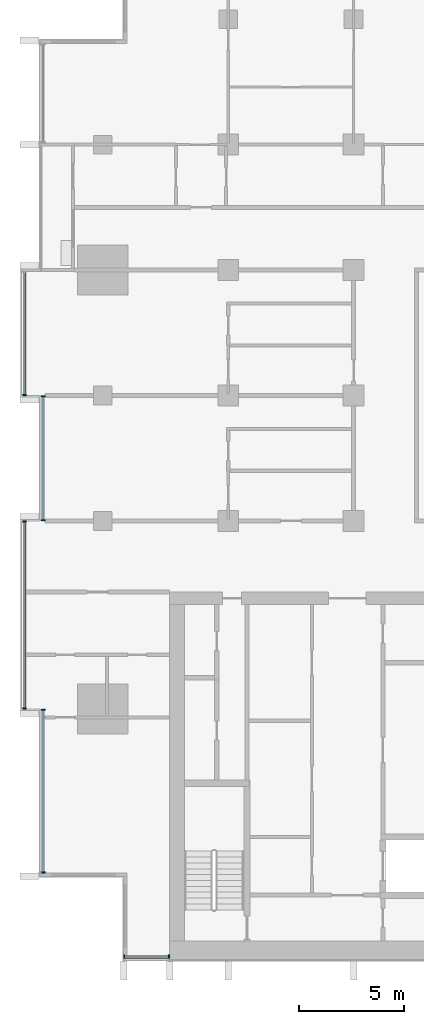
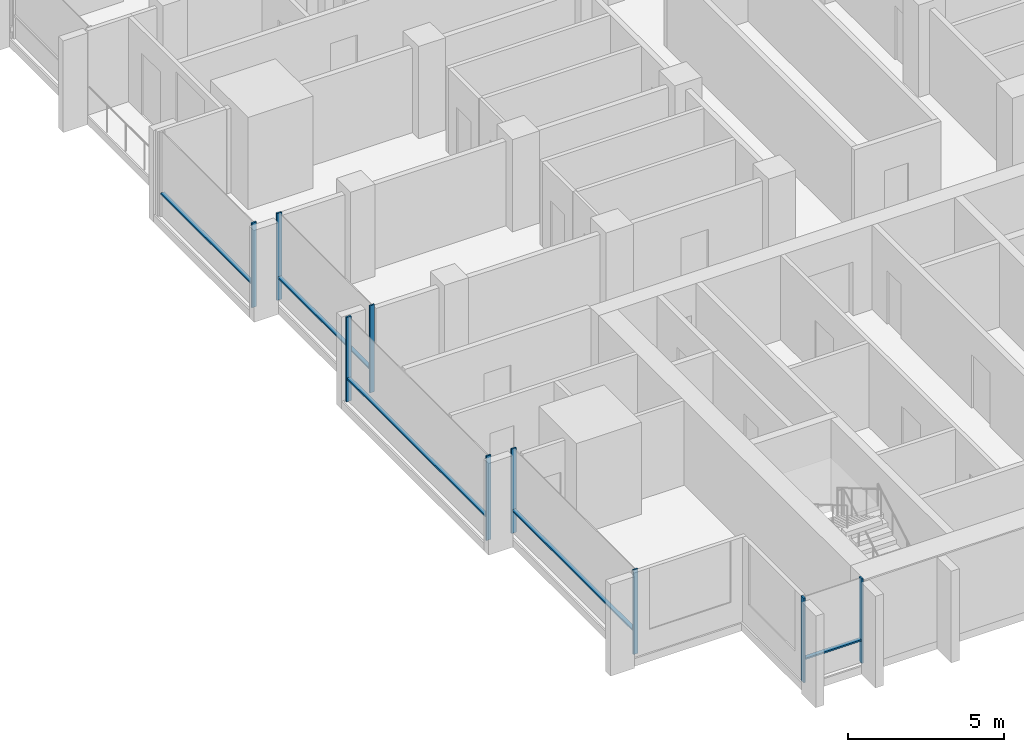
# One storey, part 2 of 16: 14 members, 5 elements without a shape of their own.
"""IFC4 building model written with IfcOpenShell, lengths in metres."""

from ifc_helpers import new_model, si_unit, direction, frame, origin, origin_2d, place, context, subcontext, project, spatial, rectangle, extrude, material, material_profile, profile_set, type_object, element, aggregate, save


model = new_model("IFC4")

# Units and contexts
model_context = context("Model", 3, precision=1e-05, world=origin(), true_north=direction((0.0, 1.0)))
body_context = subcontext(model_context, "Body", "Model", "MODEL_VIEW")
ifc_project = project(units=[si_unit("LENGTHUNIT", "METRE"), si_unit("AREAUNIT", "SQUARE_METRE"), si_unit("VOLUMEUNIT", "CUBIC_METRE"), si_unit("PLANEANGLEUNIT", "RADIAN"), si_unit("MASSUNIT", "GRAM", prefix="KILO")], contexts=[model_context])

# Site, building, storey
site_placement = place(None, origin())
site = spatial("IfcSite", under=ifc_project, at=site_placement, CompositionType="ELEMENT")
building_placement = place(site_placement, origin())
building = spatial("IfcBuilding", under=site, at=building_placement, Name="Finial Court Residences", CompositionType="ELEMENT")
storey_placement = place(building_placement, frame((0.0, 0.0, 163.699951171875)))
storey = spatial("IfcBuildingStorey", under=building, at=storey_placement, Name="L40", CompositionType="ELEMENT", Elevation=163.699951171875)

# Curtain wall, members
ifc_material = material(Name="Bronze anodised aluminium", Category="aluminium")
curtain_wall_type = type_object("IfcCurtainWallType", Name="Unitised curtain wall, upper zones", PredefinedType="NOTDEFINED", material=ifc_material)
curtain_wall_1_placement = place(storey_placement, origin())
curtain_wall_1 = element("IfcCurtainWall", 1, at=curtain_wall_1_placement, inside=storey, type_object=curtain_wall_type, Name="E-L40-CW-S7", PredefinedType="NOTDEFINED")
ifc_material_profile_1 = material_profile(ifc_material, rectangle(XDim=0.175048828125, YDim=0.06005859375, at=origin_2d()), Name="CW2 mullion 60 x 175")
ifc_profile_set_1 = profile_set([ifc_material_profile_1], Name="Bronze anodised aluminium")
member_type_1 = type_object("IfcMemberType", Name="CW2 mullion 60 x 175", PredefinedType="MULLION", material=ifc_profile_set_1)
member_1_placement = place(storey_placement, frame((-15.469970703125, -25.35009765625, 0.0), z_axis=(0.0, 0.0, 1.0), x_axis=(0.0, 1.0, 0.0)))
member_1 = element("IfcMember", 2, at=member_1_placement, type_object=member_type_1, Name="CW2 mullion 1", PredefinedType="MULLION", context=body_context, shape_type="SweptSolid", body=[
    extrude(rectangle(XDim=0.175048828125, YDim=0.06005859375, at=origin_2d()), origin(), (0.0, 0.0, 1.0), 3.300048828125),
])
member_2_placement = place(storey_placement, frame((-13.330078125, -25.35009765625, 0.0), z_axis=(0.0, 0.0, 1.0), x_axis=(0.0, 1.0, 0.0)))
member_2 = element("IfcMember", 3, at=member_2_placement, type_object=member_type_1, Name="CW2 mullion 2", PredefinedType="MULLION", context=body_context, shape_type="SweptSolid", body=[
    extrude(rectangle(XDim=0.175048828125, YDim=0.06005859375, at=origin_2d()), origin(), (0.0, 0.0, 1.0), 3.300048828125),
])

curtain_wall_2_placement = place(storey_placement, origin())
curtain_wall_2 = element("IfcCurtainWall", 4, at=curtain_wall_2_placement, inside=storey, type_object=curtain_wall_type, Name="E-L40-CW-W9", PredefinedType="NOTDEFINED")
member_3_placement = place(storey_placement, frame((-19.35009765625, -21.320068359375, 0.0), z_axis=(0.0, 0.0, 1.0), x_axis=(-1.0, 0.0, 0.0)))
member_3 = element("IfcMember", 5, at=member_3_placement, type_object=member_type_1, Name="CW2 mullion 1", PredefinedType="MULLION", context=body_context, shape_type="SweptSolid", body=[
    extrude(rectangle(XDim=0.175048828125, YDim=0.06005859375, at=origin_2d()), origin(), (0.0, 0.0, 1.0), 3.300048828125),
])
member_4_placement = place(storey_placement, frame((-19.35009765625, -13.530029296875, 0.0), z_axis=(0.0, 0.0, 1.0), x_axis=(-1.0, 0.0, 0.0)))
member_4 = element("IfcMember", 6, at=member_4_placement, type_object=member_type_1, Name="CW2 mullion 2", PredefinedType="MULLION", context=body_context, shape_type="SweptSolid", body=[
    extrude(rectangle(XDim=0.175048828125, YDim=0.06005859375, at=origin_2d()), origin(), (0.0, 0.0, 1.0), 3.300048828125),
])

curtain_wall_3_placement = place(storey_placement, origin())
curtain_wall_3 = element("IfcCurtainWall", 7, at=curtain_wall_3_placement, inside=storey, type_object=curtain_wall_type, Name="E-L40-CW-W10", PredefinedType="NOTDEFINED")
member_5_placement = place(storey_placement, frame((-20.25, -13.469970703125, 0.0), z_axis=(0.0, 0.0, 1.0), x_axis=(-1.0, 0.0, 0.0)))
member_5 = element("IfcMember", 8, at=member_5_placement, type_object=member_type_1, Name="CW2 mullion 1", PredefinedType="MULLION", context=body_context, shape_type="SweptSolid", body=[
    extrude(rectangle(XDim=0.175048828125, YDim=0.06005859375, at=origin_2d()), origin(), (0.0, 0.0, 1.0), 3.300048828125),
])
member_6_placement = place(storey_placement, frame((-20.25, -4.530029296875, 0.0), z_axis=(0.0, 0.0, 1.0), x_axis=(-1.0, 0.0, 0.0)))
member_6 = element("IfcMember", 9, at=member_6_placement, type_object=member_type_1, Name="CW2 mullion 2", PredefinedType="MULLION", context=body_context, shape_type="SweptSolid", body=[
    extrude(rectangle(XDim=0.175048828125, YDim=0.06005859375, at=origin_2d()), origin(), (0.0, 0.0, 1.0), 3.300048828125),
])

curtain_wall_4_placement = place(storey_placement, origin())
curtain_wall_4 = element("IfcCurtainWall", 10, at=curtain_wall_4_placement, inside=storey, type_object=curtain_wall_type, Name="E-L40-CW-W11", PredefinedType="NOTDEFINED")
member_7_placement = place(storey_placement, frame((-19.35009765625, -4.469970703125, 0.0), z_axis=(0.0, 0.0, 1.0), x_axis=(-1.0, 0.0, 0.0)))
member_7 = element("IfcMember", 11, at=member_7_placement, type_object=member_type_1, Name="CW2 mullion 1", PredefinedType="MULLION", context=body_context, shape_type="SweptSolid", body=[
    extrude(rectangle(XDim=0.175048828125, YDim=0.06005859375, at=origin_2d()), origin(), (0.0, 0.0, 1.0), 3.400146484375),
])
member_8_placement = place(storey_placement, frame((-19.35009765625, 1.469970703125, 0.0), z_axis=(0.0, 0.0, 1.0), x_axis=(-1.0, 0.0, 0.0)))
member_8 = element("IfcMember", 12, at=member_8_placement, type_object=member_type_1, Name="CW2 mullion 2", PredefinedType="MULLION", context=body_context, shape_type="SweptSolid", body=[
    extrude(rectangle(XDim=0.175048828125, YDim=0.06005859375, at=origin_2d()), origin(), (0.0, 0.0, 1.0), 3.400146484375),
])

# Curtain wall, member
curtain_wall_5_placement = place(storey_placement, origin())
curtain_wall_5 = element("IfcCurtainWall", 13, at=curtain_wall_5_placement, inside=storey, type_object=curtain_wall_type, Name="E-L40-CW-W12", PredefinedType="NOTDEFINED")
member_9_placement = place(storey_placement, frame((-20.25, 1.530029296875, 0.0), z_axis=(0.0, 0.0, 1.0), x_axis=(-1.0, 0.0, 0.0)))
member_9 = element("IfcMember", 14, at=member_9_placement, type_object=member_type_1, Name="CW2 mullion 1", PredefinedType="MULLION", context=body_context, shape_type="SweptSolid", body=[
    extrude(rectangle(XDim=0.175048828125, YDim=0.06005859375, at=origin_2d()), origin(), (0.0, 0.0, 1.0), 3.300048828125),
])

# Member
ifc_material_profile_2 = material_profile(ifc_material, rectangle(XDim=0.139892578125, YDim=0.06005859375, at=origin_2d()), Name="CW2 transom 60 x 140")
ifc_profile_set_2 = profile_set([ifc_material_profile_2], Name="Bronze anodised aluminium")
member_type_2 = type_object("IfcMemberType", Name="CW2 transom 60 x 140", PredefinedType="USERDEFINED", material=ifc_profile_set_2)
member_10_placement = place(storey_placement, frame((-15.43994140625, -25.35009765625, 0.900146484375), z_axis=(1.0, 0.0, 0.0), x_axis=(0.0, 1.0, 0.0)))
member_10 = element("IfcMember", 15, at=member_10_placement, type_object=member_type_2, Name="CW2 transom 1.1", ObjectType="TRANSOM", PredefinedType="USERDEFINED", context=body_context, shape_type="SweptSolid", body=[
    extrude(rectangle(XDim=0.139892578125, YDim=0.06005859375, at=origin_2d()), origin(), (0.0, 0.0, 1.0), 2.079833984375),
])

aggregate(curtain_wall_1, [member_1, member_2, member_10])

member_11_placement = place(storey_placement, frame((-19.35009765625, -21.2900390625, 0.900146484375), z_axis=(0.0, 1.0, 0.0), x_axis=(-1.0, 0.0, 0.0)))
member_11 = element("IfcMember", 16, at=member_11_placement, type_object=member_type_2, Name="CW2 transom 1.1", ObjectType="TRANSOM", PredefinedType="USERDEFINED", context=body_context, shape_type="SweptSolid", body=[
    extrude(rectangle(XDim=0.139892578125, YDim=0.06005859375, at=origin_2d()), origin(), (0.0, 0.0, 1.0), 7.72998046875),
])

aggregate(curtain_wall_2, [member_3, member_4, member_11])

member_12_placement = place(storey_placement, frame((-20.25, -13.43994140625, 0.900146484375), z_axis=(0.0, 1.0, 0.0), x_axis=(-1.0, 0.0, 0.0)))
member_12 = element("IfcMember", 17, at=member_12_placement, type_object=member_type_2, Name="CW2 transom 1.1", ObjectType="TRANSOM", PredefinedType="USERDEFINED", context=body_context, shape_type="SweptSolid", body=[
    extrude(rectangle(XDim=0.139892578125, YDim=0.06005859375, at=origin_2d()), origin(), (0.0, 0.0, 1.0), 8.8798828125),
])

aggregate(curtain_wall_3, [member_5, member_6, member_12])

member_13_placement = place(storey_placement, frame((-19.35009765625, -4.43994140625, 0.900146484375), z_axis=(0.0, 1.0, 0.0), x_axis=(-1.0, 0.0, 0.0)))
member_13 = element("IfcMember", 18, at=member_13_placement, type_object=member_type_2, Name="CW2 transom 1.1", ObjectType="TRANSOM", PredefinedType="USERDEFINED", context=body_context, shape_type="SweptSolid", body=[
    extrude(rectangle(XDim=0.139892578125, YDim=0.06005859375, at=origin_2d()), origin(), (0.0, 0.0, 1.0), 5.8798828125),
])

aggregate(curtain_wall_4, [member_7, member_8, member_13])

member_14_placement = place(storey_placement, frame((-20.25, 1.56005859375, 0.900146484375), z_axis=(0.0, 1.0, 0.0), x_axis=(-1.0, 0.0, 0.0)))
member_14 = element("IfcMember", 19, at=member_14_placement, type_object=member_type_2, Name="CW2 transom 1.1", ObjectType="TRANSOM", PredefinedType="USERDEFINED", context=body_context, shape_type="SweptSolid", body=[
    extrude(rectangle(XDim=0.139892578125, YDim=0.06005859375, at=origin_2d()), origin(), (0.0, 0.0, 1.0), 5.804931640625),
])

aggregate(curtain_wall_5, [member_9, member_14])

save(model, "model.ifc")
